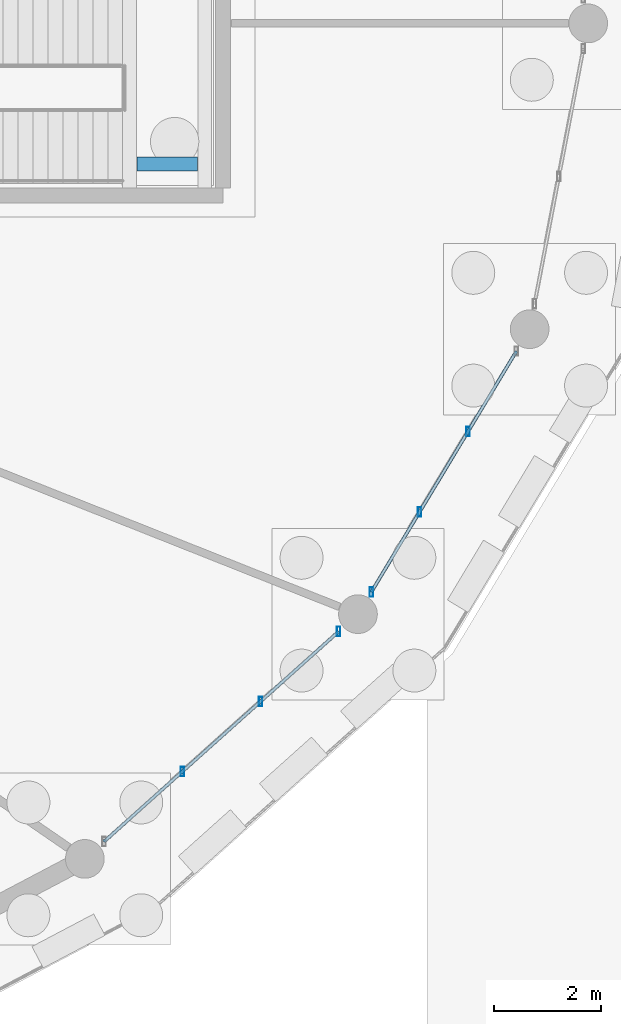
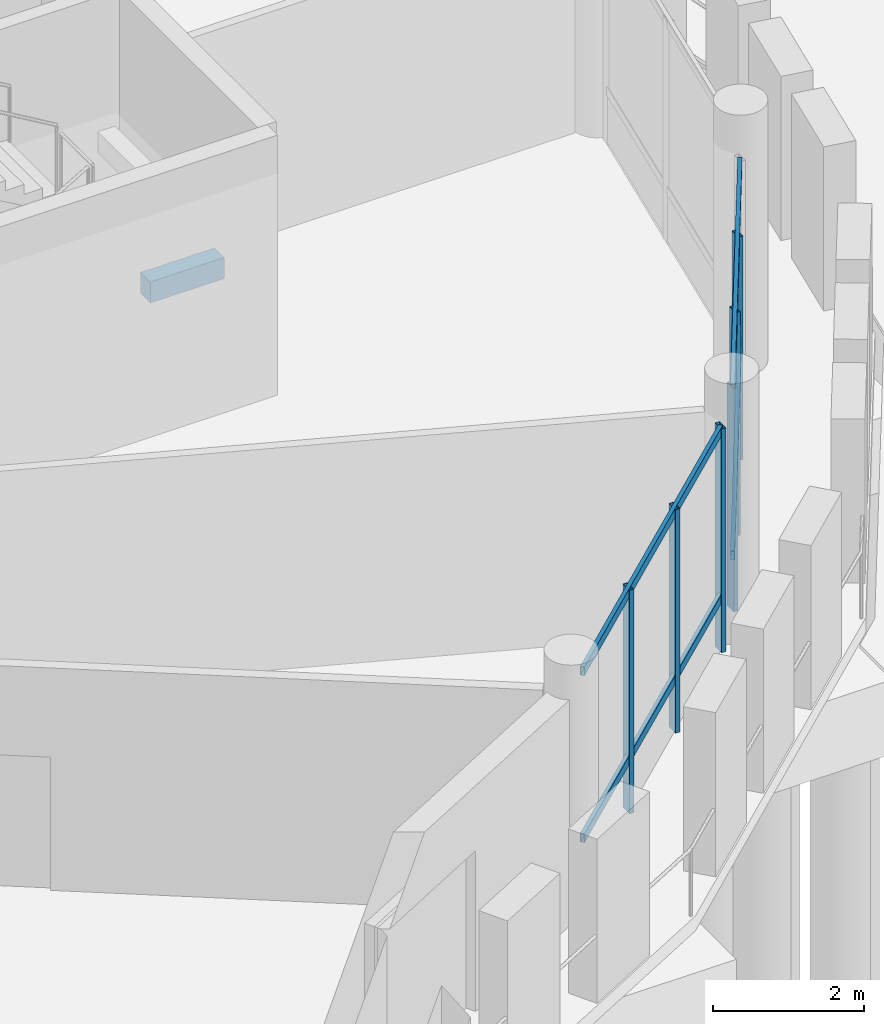
# One storey, part 37 of 98: 10 members, 1 beam, 2 elements without a shape of their own.
"""IFC4 building model written with IfcOpenShell, lengths in metres."""

import ifcopenshell
import ifcopenshell.guid

model = None  # the IFC model being written
_history = None  # IfcOwnerHistory: only IFC2X3 demands one
_inside = {}  # id of a spatial element -> (the spatial element, [elements in it])
_under = {}  # id of a project, library or spatial element -> (it, [spatial elements below it])
_declared = {}  # id of a project -> (the project, [libraries it declares])
_typed = {}  # id of a type object -> (the type object, [elements of that type])
_made_of = {}  # id of a material, layer set ... -> (it, [elements and type objects made of it])


def new_model(schema):
    """Start an empty IFC model of exactly this schema.

    Asked for "IFC4X3", IfcOpenShell would pick the latest addendum, in which some entities
    have other attributes; the version numbers below select the first issue.
    IFC2X3 requires an IfcOwnerHistory on every rooted entity: one is made here for all.
    """
    global model, _history
    if schema == "IFC4X3":
        model = ifcopenshell.file(schema_version=(4, 3, 0, 0))
    else:
        model = ifcopenshell.file(schema=schema)
    _inside.clear()
    _under.clear()
    _declared.clear()
    _typed.clear()
    _made_of.clear()
    _history = None
    if model.schema == "IFC2X3":
        org = make("IfcOrganization", Name="unknown")
        user = make(
            "IfcPersonAndOrganization",
            ThePerson=make("IfcPerson", FamilyName="unknown"),
            TheOrganization=org,
        )
        app = make(
            "IfcApplication",
            ApplicationDeveloper=org,
            Version="unknown",
            ApplicationFullName="unknown",
            ApplicationIdentifier="unknown",
        )
        _history = make(
            "IfcOwnerHistory",
            OwningUser=user,
            OwningApplication=app,
            ChangeAction="ADDED",
            CreationDate=0,
        )
    return model


def make(cls, **values):
    """One entity of the class cls with the attributes given. An attribute that is None is left unset."""
    return model.create_entity(
        cls, **{name: value for name, value in values.items() if value is not None}
    )


def rooted(cls, **values):
    """An entity with a GlobalId (a new one), such as an element, a storey or a relation."""
    return make(cls, GlobalId=ifcopenshell.guid.new(), OwnerHistory=_history, **values)


def si_unit(unit_type, name, prefix=None):
    """IfcSIUnit, for example si_unit("LENGTHUNIT", "METRE", prefix="MILLI")."""
    return make("IfcSIUnit", UnitType=unit_type, Prefix=prefix, Name=name)


def assignment(units):
    """IfcUnitAssignment: the units of a project."""
    return None if units is None else make("IfcUnitAssignment", Units=units)


def point(xyz):
    """IfcCartesianPoint."""
    return None if xyz is None else make("IfcCartesianPoint", Coordinates=xyz)


def direction(xyz):
    """IfcDirection."""
    return None if xyz is None else make("IfcDirection", DirectionRatios=xyz)


def frame(location, z_axis=None, x_axis=None):
    """IfcAxis2Placement3D, a coordinate frame: its origin and axes. An axis left out is left unset."""
    return make(
        "IfcAxis2Placement3D",
        Location=point(location),
        Axis=direction(z_axis),
        RefDirection=direction(x_axis),
    )


def frame_2d(location, x_axis=None):
    """IfcAxis2Placement2D, a coordinate frame in the plane: its origin and x axis."""
    return make(
        "IfcAxis2Placement2D", Location=point(location), RefDirection=direction(x_axis)
    )


def origin():
    """The frame at (0, 0, 0) with its axes left unset."""
    return frame((0.0, 0.0, 0.0))


def origin_2d():
    """The frame at (0, 0) in the plane with its x axis left unset."""
    return frame_2d((0.0, 0.0))


def place(relative_to, where):
    """IfcLocalPlacement: puts the frame where relative to a parent placement (None: the world)."""
    return make(
        "IfcLocalPlacement", PlacementRelTo=relative_to, RelativePlacement=where
    )


def context(
    kind, dimensions, precision=None, world=None, true_north=None, identifier=None
):
    """IfcGeometricRepresentationContext, for example the 3D "Model" context."""
    return make(
        "IfcGeometricRepresentationContext",
        ContextIdentifier=identifier,
        ContextType=kind,
        CoordinateSpaceDimension=dimensions,
        Precision=precision,
        WorldCoordinateSystem=world,
        TrueNorth=true_north,
    )


def subcontext(parent, identifier, kind, view, scale=None):
    """IfcGeometricRepresentationSubContext, for example "Body" below "Model"."""
    return make(
        "IfcGeometricRepresentationSubContext",
        ContextIdentifier=identifier,
        ContextType=kind,
        ParentContext=parent,
        TargetScale=scale,
        TargetView=view,
    )


def project(units=None, contexts=None):
    """IfcProject with its units and contexts."""
    return rooted(
        "IfcProject",
        Name="project",
        RepresentationContexts=contexts,
        UnitsInContext=assignment(units),
    )


def spatial(cls, under=None, at=None, **own):
    """A site, building, storey or space (cls), placed at a placement, below another one or the project."""
    s = rooted(cls, ObjectPlacement=at, **own)
    if under is not None:
        _under.setdefault(under.id(), (under, []))[1].append(s)
    return s


def profile(cls, at=None, kind="AREA", **sizes):
    """A parametric profile (cls). Its sizes go by their IFC names, for example OverallWidth=200.0."""
    return make(cls, ProfileType=kind, Position=at, **sizes)


def rectangle(**sizes):
    """IfcRectangleProfileDef."""
    return profile("IfcRectangleProfileDef", **sizes)


def hollow_rectangle(**sizes):
    """IfcRectangleHollowProfileDef."""
    return profile("IfcRectangleHollowProfileDef", **sizes)


def extrude(swept, where, along, depth):
    """IfcExtrudedAreaSolid: the profile swept, set in the frame where, extruded along a direction by depth."""
    return make(
        "IfcExtrudedAreaSolid",
        SweptArea=swept,
        Position=where,
        ExtrudedDirection=direction(along),
        Depth=depth,
    )


def shape(context_of_items, identifier, shape_type, items):
    """IfcShapeRepresentation: the items that make up one representation, for example the "Body"."""
    return make(
        "IfcShapeRepresentation",
        ContextOfItems=context_of_items,
        RepresentationIdentifier=identifier,
        RepresentationType=shape_type,
        Items=items,
    )


def material(Name=None, Category=None):
    """IfcMaterial."""
    return make("IfcMaterial", Name=Name, Category=Category)


def material_profile(
    of_material, cross_section, Name=None, Category=None, Priority=None
):
    """IfcMaterialProfile: a cross section and its material."""
    return make(
        "IfcMaterialProfile",
        Name=Name,
        Material=of_material,
        Profile=cross_section,
        Priority=Priority,
        Category=Category,
    )


def profile_set(profiles, Name=None, composite=None):
    """IfcMaterialProfileSet."""
    return make(
        "IfcMaterialProfileSet",
        Name=Name,
        MaterialProfiles=profiles,
        CompositeProfile=composite,
    )


def made_of(thing, what):
    """Note that an element or type object is made of a material, layer set ...; save() writes the relation."""
    if what is not None:
        _made_of.setdefault(what.id(), (what, []))[1].append(thing)
    return thing


def type_object(cls, material=None, **own):
    """A type object (cls), such as IfcWallType, which elements share."""
    return made_of(rooted(cls, **own), material)


def element(
    cls,
    number,
    at=None,
    inside=None,
    cuts=None,
    type_object=None,
    material=None,
    context=None,
    identifier="Body",
    shape_type=None,
    held_by="IfcProductDefinitionShape",
    body=None,
    shapes=None,
    **own,
):
    """One element of the class cls, such as IfcWall. Its Tag is "e" and its number.

    at: its placement. inside: the storey or other place that contains it. cuts: it is an
    opening in that element (IfcRelVoidsElement). A single representation is given by context,
    identifier, shape_type and body (its items); several are given by shapes. held_by: the class
    of the entity that holds the representations. save() writes the other relations.
    """
    e = rooted(cls, Tag="e%d" % number, ObjectPlacement=at, **own)
    if body is not None:
        shapes = [shape(context, identifier, shape_type, body)]
    if shapes is not None:
        e.Representation = make(held_by, Representations=shapes)
    if inside is not None:
        _inside.setdefault(inside.id(), (inside, []))[1].append(e)
    if cuts is not None:
        rooted(
            "IfcRelVoidsElement", RelatingBuildingElement=cuts, RelatedOpeningElement=e
        )
    if type_object is not None:
        _typed.setdefault(type_object.id(), (type_object, []))[1].append(e)
    return made_of(e, material)


def aggregate(whole, parts):
    """IfcRelAggregates: a whole, such as a stair, and the parts it consists of."""
    return rooted("IfcRelAggregates", RelatingObject=whole, RelatedObjects=parts)


def save(model, path):
    """Write the relations noted so far, then the file.

    IfcRelAggregates (storeys below a building ...), IfcRelContainedInSpatialStructure (elements
    in a storey), IfcRelDefinesByType, IfcRelAssociatesMaterial and IfcRelDeclares: one each for
    every whole, place, type object, material and project.
    """
    for whole, parts in _under.values():
        aggregate(whole, parts)
    for where, things in _inside.values():
        rooted(
            "IfcRelContainedInSpatialStructure",
            RelatedElements=things,
            RelatingStructure=where,
        )
    for kind, things in _typed.values():
        rooted("IfcRelDefinesByType", RelatedObjects=things, RelatingType=kind)
    for what, things in _made_of.values():
        rooted("IfcRelAssociatesMaterial", RelatedObjects=things, RelatingMaterial=what)
    for by, libraries in _declared.values():
        rooted("IfcRelDeclares", RelatingContext=by, RelatedDefinitions=libraries)
    model.write(path)


model = new_model("IFC4")

# Units and contexts
model_context = context("Model", 3, precision=1e-05, world=origin(), true_north=direction((0.0, 1.0)))
body_context = subcontext(model_context, "Body", "Model", "MODEL_VIEW")
ifc_project = project(units=[si_unit("LENGTHUNIT", "METRE"), si_unit("AREAUNIT", "SQUARE_METRE"), si_unit("VOLUMEUNIT", "CUBIC_METRE"), si_unit("PLANEANGLEUNIT", "RADIAN"), si_unit("MASSUNIT", "GRAM", prefix="KILO")], contexts=[model_context])

# Site, building, storey
site_placement = place(None, origin())
site = spatial("IfcSite", under=ifc_project, at=site_placement, CompositionType="ELEMENT")
building_placement = place(site_placement, origin())
building = spatial("IfcBuilding", under=site, at=building_placement, Name="Zornivar Specialist Clinic", CompositionType="ELEMENT")
storey_placement = place(building_placement, origin())
storey = spatial("IfcBuildingStorey", under=building, at=storey_placement, Name="L00", CompositionType="ELEMENT", Elevation=0.0)

# Beam
ifc_material_1 = material(Name="Concrete C30/37", Category="concrete")
ifc_material_profile_1 = material_profile(ifc_material_1, rectangle(XDim=0.260009765625, YDim=0.340087890625, at=origin_2d()), Name="RC 260x340")
ifc_profile_set_1 = profile_set([ifc_material_profile_1], Name="Concrete C30/37")
beam_type = type_object("IfcBeamType", Name="BM-LAND-260x340", PredefinedType="BEAM", material=ifc_profile_set_1)
beam_placement = place(storey_placement, frame((117.195068359375, 54.97998046875, 1.8701171875), z_axis=(1.0, 0.0, 0.0), x_axis=(0.0, 1.0, 0.0)))
element("IfcBeam", 1, at=beam_placement, inside=storey, type_object=beam_type, Name="bm:stair:C4:L00:lS", PredefinedType="BEAM", context=body_context, shape_type="SweptSolid", body=[
    extrude(rectangle(XDim=0.260009765625, YDim=0.340087890625, at=origin_2d()), origin(), (0.0, 0.0, 1.0), 1.1298828125),
])

# Curtain wall, members
ifc_material_2 = material(Name="Aluminium and Low-E Glass Curtain Wall", Category="aluminium")
curtain_wall_type = type_object("IfcCurtainWallType", Name="CW-DRUM-FACET", PredefinedType="NOTDEFINED", material=ifc_material_2)
curtain_wall_1_placement = place(storey_placement, origin())
curtain_wall_1 = element("IfcCurtainWall", 2, at=curtain_wall_1_placement, inside=storey, type_object=curtain_wall_type, Name="cw:V1:L00:c21", PredefinedType="NOTDEFINED")
ifc_material_3 = material(Name="Aluminium AW-6060", Category="aluminium")
ifc_material_profile_2 = material_profile(ifc_material_3, hollow_rectangle(XDim=0.06494140625, YDim=0.175048828125, WallThickness=0.00439453125, at=origin_2d()), Name="ALU 65x175x4.5")
ifc_profile_set_2 = profile_set([ifc_material_profile_2], Name="Aluminium AW-6060")
member_type_1 = type_object("IfcMemberType", Name="CWM-MUL-175", PredefinedType="MULLION", material=ifc_profile_set_2)
member_1_placement = place(storey_placement, frame((118.0419921875, 43.669921875, 0.0), z_axis=(0.0, 0.0, 1.0), x_axis=(1.0, 0.0, 0.0)))
member_1 = element("IfcMember", 3, at=member_1_placement, type_object=member_type_1, Name="cw:V1:L00:c21:mul:1", PredefinedType="MULLION", context=body_context, shape_type="SweptSolid", body=[
    extrude(hollow_rectangle(XDim=0.06494140625, YDim=0.175048828125, WallThickness=0.00439453125, at=origin_2d()), origin(), (0.0, 0.0, 1.0), 3.610107421875),
])
member_2_placement = place(storey_placement, frame((119.4990234375, 44.97509765625, 0.0), z_axis=(0.0, 0.0, 1.0), x_axis=(1.0, 0.0, 0.0)))
member_2 = element("IfcMember", 4, at=member_2_placement, type_object=member_type_1, Name="cw:V1:L00:c21:mul:2", PredefinedType="MULLION", context=body_context, shape_type="SweptSolid", body=[
    extrude(hollow_rectangle(XDim=0.06494140625, YDim=0.175048828125, WallThickness=0.00439453125, at=origin_2d()), origin(), (0.0, 0.0, 1.0), 3.610107421875),
])
member_3_placement = place(storey_placement, frame((120.955078125, 46.279052734375, 0.0), z_axis=(0.0, 0.0, 1.0), x_axis=(1.0, 0.0, 0.0)))
member_3 = element("IfcMember", 5, at=member_3_placement, type_object=member_type_1, Name="cw:V1:L00:c21:mul:3", PredefinedType="MULLION", context=body_context, shape_type="SweptSolid", body=[
    extrude(hollow_rectangle(XDim=0.06494140625, YDim=0.175048828125, WallThickness=0.00439453125, at=origin_2d()), origin(), (0.0, 0.0, 1.0), 3.610107421875),
])

curtain_wall_2_placement = place(storey_placement, origin())
curtain_wall_2 = element("IfcCurtainWall", 6, at=curtain_wall_2_placement, inside=storey, type_object=curtain_wall_type, Name="cw:V1:L00:c22", PredefinedType="NOTDEFINED")
member_4_placement = place(storey_placement, frame((121.56103515625, 47.010986328125, 0.0), z_axis=(0.0, 0.0, 1.0), x_axis=(1.0, 0.0, 0.0)))
member_4 = element("IfcMember", 7, at=member_4_placement, type_object=member_type_1, Name="cw:V1:L00:c22:mul:0", PredefinedType="MULLION", context=body_context, shape_type="SweptSolid", body=[
    extrude(hollow_rectangle(XDim=0.06494140625, YDim=0.175048828125, WallThickness=0.00439453125, at=origin_2d()), origin(), (0.0, 0.0, 1.0), 3.610107421875),
])
member_5_placement = place(storey_placement, frame((122.4609375, 48.506103515625, 0.0), z_axis=(0.0, 0.0, 1.0), x_axis=(1.0, 0.0, 0.0)))
member_5 = element("IfcMember", 8, at=member_5_placement, type_object=member_type_1, Name="cw:V1:L00:c22:mul:1", PredefinedType="MULLION", context=body_context, shape_type="SweptSolid", body=[
    extrude(hollow_rectangle(XDim=0.06494140625, YDim=0.175048828125, WallThickness=0.00439453125, at=origin_2d()), origin(), (0.0, 0.0, 1.0), 3.610107421875),
])
member_6_placement = place(storey_placement, frame((123.362060546875, 50.0009765625, 0.0), z_axis=(0.0, 0.0, 1.0), x_axis=(1.0, 0.0, 0.0)))
member_6 = element("IfcMember", 9, at=member_6_placement, type_object=member_type_1, Name="cw:V1:L00:c22:mul:2", PredefinedType="MULLION", context=body_context, shape_type="SweptSolid", body=[
    extrude(hollow_rectangle(XDim=0.06494140625, YDim=0.175048828125, WallThickness=0.00439453125, at=origin_2d()), origin(), (0.0, 0.0, 1.0), 3.610107421875),
])

# Member
ifc_material_4 = material(Name="Aluminium AW-6060", Category="aluminium")
ifc_material_profile_3 = material_profile(ifc_material_4, hollow_rectangle(XDim=0.06005859375, YDim=0.14501953125, WallThickness=0.00390625, at=origin_2d()), Name="ALU 60x145x4")
ifc_profile_set_3 = profile_set([ifc_material_profile_3], Name="Aluminium AW-6060")
member_type_2 = type_object("IfcMemberType", Name="CWM-TRN-145", PredefinedType="USERDEFINED", material=ifc_profile_set_3)
member_7_placement = place(storey_placement, frame((116.5849609375, 42.364990234375, 0.85009765625), z_axis=(0.744905995643, 0.667169436991, 0.0), x_axis=(-0.667169436991, 0.744905995643, 0.0)))
member_7 = element("IfcMember", 10, at=member_7_placement, type_object=member_type_2, Name="cw:V1:L00:c21:trn:0", ObjectType="TRANSOM", PredefinedType="USERDEFINED", context=body_context, shape_type="SweptSolid", body=[
    extrude(hollow_rectangle(XDim=0.06005859375, YDim=0.14501953125, WallThickness=0.00390625, at=origin_2d()), origin(), (0.0, 0.0, 1.0), 5.86669921875),
])

member_8_placement = place(storey_placement, frame((116.5849609375, 42.364990234375, 3.544921875), z_axis=(0.744905995643, 0.667169436991, 0.0), x_axis=(-0.667169436991, 0.744905995643, 0.0)))
member_8 = element("IfcMember", 11, at=member_8_placement, type_object=member_type_2, Name="cw:V1:L00:c21:trn:1", ObjectType="TRANSOM", PredefinedType="USERDEFINED", context=body_context, shape_type="SweptSolid", body=[
    extrude(hollow_rectangle(XDim=0.06005859375, YDim=0.14501953125, WallThickness=0.00390625, at=origin_2d()), origin(), (0.0, 0.0, 1.0), 5.86669921875),
])

aggregate(curtain_wall_1, [member_1, member_2, member_3, member_7, member_8])

member_9_placement = place(storey_placement, frame((121.56103515625, 47.010986328125, 0.85009765625), z_axis=(0.515962745671, 0.856611023207, 0.0), x_axis=(-0.856611023207, 0.515962745671, 0.0)))
member_9 = element("IfcMember", 12, at=member_9_placement, type_object=member_type_2, Name="cw:V1:L00:c22:trn:0", ObjectType="TRANSOM", PredefinedType="USERDEFINED", context=body_context, shape_type="SweptSolid", body=[
    extrude(hollow_rectangle(XDim=0.06005859375, YDim=0.14501953125, WallThickness=0.00390625, at=origin_2d()), origin(), (0.0, 0.0, 1.0), 5.234619140625),
])

member_10_placement = place(storey_placement, frame((121.56103515625, 47.010986328125, 3.544921875), z_axis=(0.515962745671, 0.856611023207, 0.0), x_axis=(-0.856611023207, 0.515962745671, 0.0)))
member_10 = element("IfcMember", 13, at=member_10_placement, type_object=member_type_2, Name="cw:V1:L00:c22:trn:1", ObjectType="TRANSOM", PredefinedType="USERDEFINED", context=body_context, shape_type="SweptSolid", body=[
    extrude(hollow_rectangle(XDim=0.06005859375, YDim=0.14501953125, WallThickness=0.00390625, at=origin_2d()), origin(), (0.0, 0.0, 1.0), 5.234619140625),
])

aggregate(curtain_wall_2, [member_4, member_5, member_6, member_9, member_10])

save(model, "model.ifc")
